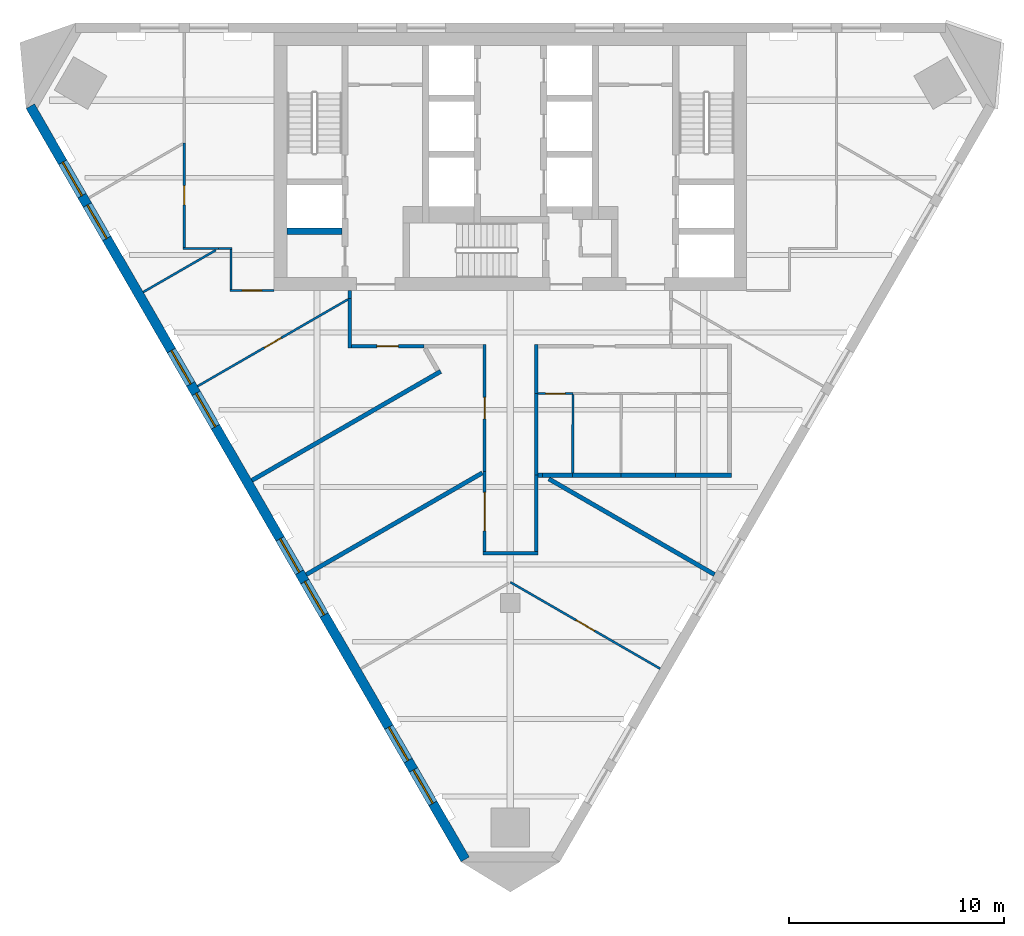
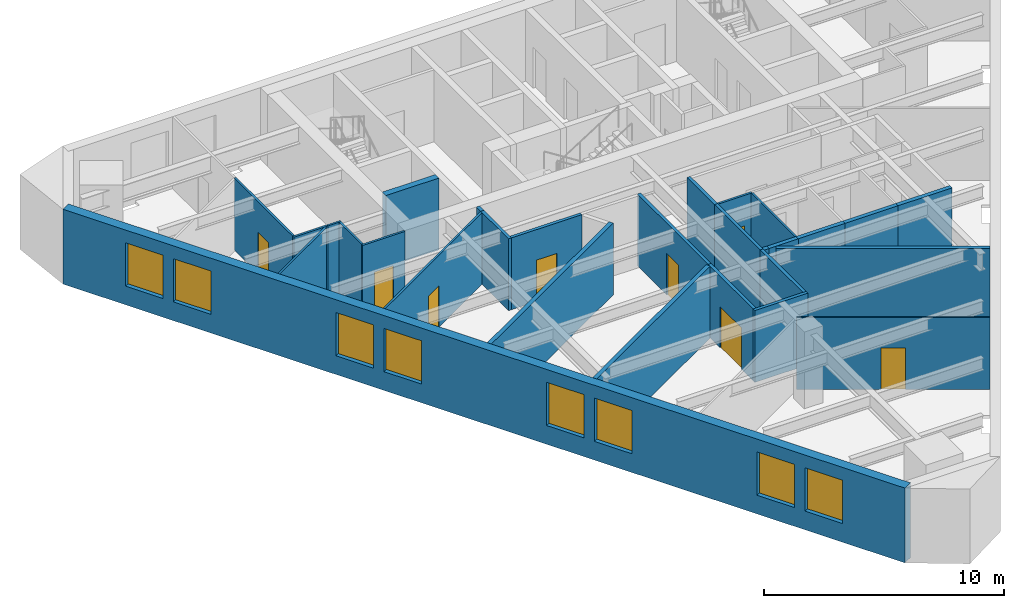
# One storey, part 2 of 7: 29 walls, 8 doors, 8 windows, 16 openings.
"""IFC4 building model written with IfcOpenShell, lengths in metres."""

from ifc_helpers import new_model, si_unit, direction, frame, frame_2d, origin, place, context, subcontext, project, spatial, polyline, rectangle, outline, extrude, material, layer, layer_set, type_object, element, fill, save


model = new_model("IFC4")

# Units and contexts
model_context = context("Model", 3, precision=1e-05, world=origin(), true_north=direction((0.0, 1.0)))
body_context = subcontext(model_context, "Body", "Model", "MODEL_VIEW")
ifc_project = project(units=[si_unit("LENGTHUNIT", "METRE"), si_unit("AREAUNIT", "SQUARE_METRE"), si_unit("VOLUMEUNIT", "CUBIC_METRE"), si_unit("PLANEANGLEUNIT", "RADIAN"), si_unit("MASSUNIT", "GRAM", prefix="KILO")], contexts=[model_context])

# Site, building, storey
site_placement = place(None, origin())
site = spatial("IfcSite", under=ifc_project, at=site_placement, CompositionType="ELEMENT")
building_placement = place(site_placement, origin())
building = spatial("IfcBuilding", under=site, at=building_placement, Name="Aloe Facet Convention Tower", CompositionType="ELEMENT")
storey_placement = place(building_placement, frame((0.0, 0.0, 171.5)))
storey = spatial("IfcBuildingStorey", under=building, at=storey_placement, Name="L43", CompositionType="ELEMENT", Elevation=171.5)

# Wall
ifc_material_1 = material(Name="Concrete C60/75", Category="concrete")
ifc_layer_1 = layer(ifc_material_1, 0.300048828125)
ifc_layer_set_1 = layer_set([ifc_layer_1], Name="CR-W-RC300-C6075")
wall_type_1 = type_object("IfcWallType", Name="CR-W-RC300-C6075", PredefinedType="SOLIDWALL", material=ifc_layer_set_1)
wall_1_placement = place(storey_placement, frame((69.60009765625, 125.300048828125, 0.0), z_axis=(0.0, 0.0, 1.0), x_axis=(1.0, 0.0, 0.0)))
element("IfcWall", 1, at=wall_1_placement, inside=storey, type_object=wall_type_1, Name="Core wall L43-005", PredefinedType="SOLIDWALL", context=body_context, shape_type="SweptSolid", body=[
    extrude(rectangle(XDim=2.5498046875, YDim=0.300048828125, at=frame_2d((1.27490234375, 0.0))), origin(), (0.0, 0.0, 1.0), 3.64990234375),
])

# Wall, openings, windows
ifc_material_2 = material(Name="Precast concrete C40/50", Category="concrete")
ifc_layer_2 = layer(ifc_material_2, 0.449951171875)
ifc_layer_set_2 = layer_set([ifc_layer_2], Name="EV-WALL-STONE")
wall_type_2 = type_object("IfcWallType", Name="EV-WALL-STONE", PredefinedType="SOLIDWALL", material=ifc_layer_set_2)
wall_2_placement = place(storey_placement, frame((57.65185546875, 131.128662109375, -0.14990234375), z_axis=(0.0, 0.0, 1.0), x_axis=(0.499997369791, -0.866026922331, 0.0)))
wall_2 = element("IfcWall", 2, at=wall_2_placement, inside=storey, type_object=wall_type_2, Name="EW-L43-W01", PredefinedType="SOLIDWALL", context=body_context, shape_type="SweptSolid", body=[
    extrude(outline(polyline([(40.486083984375, 0.0), (40.486083984375, 3.7998046875), (0.0, 3.7998046875), (0.0, 0.0), (40.486083984375, 0.0)])), frame((0.0, 0.22509765625, 0.0), z_axis=(0.0, -1.0, 0.0), x_axis=(1.0, 0.0, 0.0)), (0.0, 0.0, 1.0), 0.449951171875),
])
opening_1_placement = place(wall_2_placement, frame((3.0107421875, 0.0, 0.949951171875)))
opening_1 = element("IfcOpeningElement", 3, at=opening_1_placement, cuts=wall_2, Name="Opening W-L43-W01", PredefinedType="OPENING", context=body_context, shape_type="SweptSolid", body=[
    extrude(rectangle(XDim=1.800048828125, YDim=2.199951171875, at=frame_2d((0.89990234375, 1.10009765625))), frame((0.0, 0.23486328125, 0.0), z_axis=(0.0, -1.0, 0.0), x_axis=(1.0, 0.0, 0.0)), (0.0, 0.0, 1.0), 0.469970703125),
])
opening_2_placement = place(wall_2_placement, frame((5.310791015625, 0.0, 0.949951171875)))
opening_2 = element("IfcOpeningElement", 4, at=opening_2_placement, cuts=wall_2, Name="Opening W-L43-W02", PredefinedType="OPENING", context=body_context, shape_type="SweptSolid", body=[
    extrude(rectangle(XDim=1.800048828125, YDim=2.199951171875, at=frame_2d((0.89990234375, 1.10009765625))), frame((0.0, 0.23486328125, 0.0), z_axis=(0.0, -1.0, 0.0), x_axis=(1.0, 0.0, 0.0)), (0.0, 0.0, 1.0), 0.469970703125),
])
opening_3_placement = place(wall_2_placement, frame((13.13232421875, 0.0, 0.949951171875)))
opening_3 = element("IfcOpeningElement", 5, at=opening_3_placement, cuts=wall_2, Name="Opening W-L43-W03", PredefinedType="OPENING", context=body_context, shape_type="SweptSolid", body=[
    extrude(rectangle(XDim=1.800048828125, YDim=2.199951171875, at=frame_2d((0.89990234375, 1.10009765625))), frame((0.0, 0.23486328125, 0.0), z_axis=(0.0, -1.0, 0.0), x_axis=(1.0, 0.0, 0.0)), (0.0, 0.0, 1.0), 0.469970703125),
])
opening_4_placement = place(wall_2_placement, frame((15.432373046875, 0.0, 0.949951171875)))
opening_4 = element("IfcOpeningElement", 6, at=opening_4_placement, cuts=wall_2, Name="Opening W-L43-W04", PredefinedType="OPENING", context=body_context, shape_type="SweptSolid", body=[
    extrude(rectangle(XDim=1.800048828125, YDim=2.199951171875, at=frame_2d((0.89990234375, 1.10009765625))), frame((0.0, 0.23486328125, 0.0), z_axis=(0.0, -1.0, 0.0), x_axis=(1.0, 0.0, 0.0)), (0.0, 0.0, 1.0), 0.469970703125),
])
opening_5_placement = place(wall_2_placement, frame((23.25390625, 0.0, 0.949951171875)))
opening_5 = element("IfcOpeningElement", 7, at=opening_5_placement, cuts=wall_2, Name="Opening W-L43-W05", PredefinedType="OPENING", context=body_context, shape_type="SweptSolid", body=[
    extrude(rectangle(XDim=1.800048828125, YDim=2.199951171875, at=frame_2d((0.89990234375, 1.10009765625))), frame((0.0, 0.23486328125, 0.0), z_axis=(0.0, -1.0, 0.0), x_axis=(1.0, 0.0, 0.0)), (0.0, 0.0, 1.0), 0.469970703125),
])
opening_6_placement = place(wall_2_placement, frame((25.553955078125, 0.0, 0.949951171875)))
opening_6 = element("IfcOpeningElement", 8, at=opening_6_placement, cuts=wall_2, Name="Opening W-L43-W06", PredefinedType="OPENING", context=body_context, shape_type="SweptSolid", body=[
    extrude(rectangle(XDim=1.800048828125, YDim=2.199951171875, at=frame_2d((0.89990234375, 1.10009765625))), frame((0.0, 0.23486328125, 0.0), z_axis=(0.0, -1.0, 0.0), x_axis=(1.0, 0.0, 0.0)), (0.0, 0.0, 1.0), 0.469970703125),
])
opening_7_placement = place(wall_2_placement, frame((33.37548828125, 0.0, 0.949951171875)))
opening_7 = element("IfcOpeningElement", 9, at=opening_7_placement, cuts=wall_2, Name="Opening W-L43-W07", PredefinedType="OPENING", context=body_context, shape_type="SweptSolid", body=[
    extrude(rectangle(XDim=1.800048828125, YDim=2.199951171875, at=frame_2d((0.89990234375, 1.10009765625))), frame((0.0, 0.23486328125, 0.0), z_axis=(0.0, -1.0, 0.0), x_axis=(1.0, 0.0, 0.0)), (0.0, 0.0, 1.0), 0.469970703125),
])
opening_8_placement = place(wall_2_placement, frame((35.67529296875, 0.0, 0.949951171875)))
opening_8 = element("IfcOpeningElement", 10, at=opening_8_placement, cuts=wall_2, Name="Opening W-L43-W08", PredefinedType="OPENING", context=body_context, shape_type="SweptSolid", body=[
    extrude(rectangle(XDim=1.800048828125, YDim=2.199951171875, at=frame_2d((0.89990234375, 1.10009765625))), frame((0.0, 0.23486328125, 0.0), z_axis=(0.0, -1.0, 0.0), x_axis=(1.0, 0.0, 0.0)), (0.0, 0.0, 1.0), 0.469970703125),
])
ifc_material_3 = material(Name="Aluminium frame, clear double glazing", Category="aluminium")
window_type = type_object("IfcWindowType", Name="EV-WIN-O18", PartitioningType="SINGLE_PANEL", PredefinedType="WINDOW", material=ifc_material_3)
window_1_placement = place(opening_1_placement, origin())
window_1 = element("IfcWindow", 11, at=window_1_placement, inside=storey, type_object=window_type, Name="W-L43-W01", OverallHeight=2.199951171875, OverallWidth=1.800048828125, PartitioningType="SINGLE_PANEL", PredefinedType="WINDOW", context=body_context, shape_type="SweptSolid", body=[
    extrude(rectangle(XDim=1.800048828125, YDim=2.199951171875, at=frame_2d((0.89990234375, 1.10009765625))), frame((0.0, 0.030029296875, 0.0), z_axis=(0.0, -1.0, 0.0), x_axis=(1.0, 0.0, 0.0)), (0.0, 0.0, 1.0), 0.06005859375),
])
fill(opening_1, window_1)
window_2_placement = place(opening_2_placement, origin())
window_2 = element("IfcWindow", 12, at=window_2_placement, inside=storey, type_object=window_type, Name="W-L43-W02", OverallHeight=2.199951171875, OverallWidth=1.800048828125, PartitioningType="SINGLE_PANEL", PredefinedType="WINDOW", context=body_context, shape_type="SweptSolid", body=[
    extrude(rectangle(XDim=1.800048828125, YDim=2.199951171875, at=frame_2d((0.89990234375, 1.10009765625))), frame((0.0, 0.030029296875, 0.0), z_axis=(0.0, -1.0, 0.0), x_axis=(1.0, 0.0, 0.0)), (0.0, 0.0, 1.0), 0.06005859375),
])
fill(opening_2, window_2)
window_3_placement = place(opening_3_placement, origin())
window_3 = element("IfcWindow", 13, at=window_3_placement, inside=storey, type_object=window_type, Name="W-L43-W03", OverallHeight=2.199951171875, OverallWidth=1.800048828125, PartitioningType="SINGLE_PANEL", PredefinedType="WINDOW", context=body_context, shape_type="SweptSolid", body=[
    extrude(rectangle(XDim=1.800048828125, YDim=2.199951171875, at=frame_2d((0.89990234375, 1.10009765625))), frame((0.0, 0.030029296875, 0.0), z_axis=(0.0, -1.0, 0.0), x_axis=(1.0, 0.0, 0.0)), (0.0, 0.0, 1.0), 0.06005859375),
])
fill(opening_3, window_3)
window_4_placement = place(opening_4_placement, origin())
window_4 = element("IfcWindow", 14, at=window_4_placement, inside=storey, type_object=window_type, Name="W-L43-W04", OverallHeight=2.199951171875, OverallWidth=1.800048828125, PartitioningType="SINGLE_PANEL", PredefinedType="WINDOW", context=body_context, shape_type="SweptSolid", body=[
    extrude(rectangle(XDim=1.800048828125, YDim=2.199951171875, at=frame_2d((0.89990234375, 1.10009765625))), frame((0.0, 0.030029296875, 0.0), z_axis=(0.0, -1.0, 0.0), x_axis=(1.0, 0.0, 0.0)), (0.0, 0.0, 1.0), 0.06005859375),
])
fill(opening_4, window_4)
window_5_placement = place(opening_5_placement, origin())
window_5 = element("IfcWindow", 15, at=window_5_placement, inside=storey, type_object=window_type, Name="W-L43-W05", OverallHeight=2.199951171875, OverallWidth=1.800048828125, PartitioningType="SINGLE_PANEL", PredefinedType="WINDOW", context=body_context, shape_type="SweptSolid", body=[
    extrude(rectangle(XDim=1.800048828125, YDim=2.199951171875, at=frame_2d((0.89990234375, 1.10009765625))), frame((0.0, 0.030029296875, 0.0), z_axis=(0.0, -1.0, 0.0), x_axis=(1.0, 0.0, 0.0)), (0.0, 0.0, 1.0), 0.06005859375),
])
fill(opening_5, window_5)
window_6_placement = place(opening_6_placement, origin())
window_6 = element("IfcWindow", 16, at=window_6_placement, inside=storey, type_object=window_type, Name="W-L43-W06", OverallHeight=2.199951171875, OverallWidth=1.800048828125, PartitioningType="SINGLE_PANEL", PredefinedType="WINDOW", context=body_context, shape_type="SweptSolid", body=[
    extrude(rectangle(XDim=1.800048828125, YDim=2.199951171875, at=frame_2d((0.89990234375, 1.10009765625))), frame((0.0, 0.030029296875, 0.0), z_axis=(0.0, -1.0, 0.0), x_axis=(1.0, 0.0, 0.0)), (0.0, 0.0, 1.0), 0.06005859375),
])
fill(opening_6, window_6)
window_7_placement = place(opening_7_placement, origin())
window_7 = element("IfcWindow", 17, at=window_7_placement, inside=storey, type_object=window_type, Name="W-L43-W07", OverallHeight=2.199951171875, OverallWidth=1.800048828125, PartitioningType="SINGLE_PANEL", PredefinedType="WINDOW", context=body_context, shape_type="SweptSolid", body=[
    extrude(rectangle(XDim=1.800048828125, YDim=2.199951171875, at=frame_2d((0.89990234375, 1.10009765625))), frame((0.0, 0.030029296875, 0.0), z_axis=(0.0, -1.0, 0.0), x_axis=(1.0, 0.0, 0.0)), (0.0, 0.0, 1.0), 0.06005859375),
])
fill(opening_7, window_7)
window_8_placement = place(opening_8_placement, origin())
window_8 = element("IfcWindow", 18, at=window_8_placement, inside=storey, type_object=window_type, Name="W-L43-W08", OverallHeight=2.199951171875, OverallWidth=1.800048828125, PartitioningType="SINGLE_PANEL", PredefinedType="WINDOW", context=body_context, shape_type="SweptSolid", body=[
    extrude(rectangle(XDim=1.800048828125, YDim=2.199951171875, at=frame_2d((0.89990234375, 1.10009765625))), frame((0.0, 0.030029296875, 0.0), z_axis=(0.0, -1.0, 0.0), x_axis=(1.0, 0.0, 0.0)), (0.0, 0.0, 1.0), 0.06005859375),
])
fill(opening_8, window_8)

# Walls
ifc_material_4 = material(Name="Gypsum board partition on steel studs", Category="steel")
ifc_layer_3 = layer(ifc_material_4, 0.14990234375)
ifc_layer_set_3 = layer_set([ifc_layer_3], Name="IN-W-CORR")
wall_type_3 = type_object("IfcWallType", Name="IN-W-CORR", PredefinedType="PARTITIONING", material=ifc_layer_set_3)
wall_3_placement = place(storey_placement, frame((78.72509765625, 110.313232421875, 0.0), z_axis=(0.0, 0.0, 1.0), x_axis=(1.0, 0.0, 0.0)))
element("IfcWall", 19, at=wall_3_placement, inside=storey, type_object=wall_type_3, Name="Partition L43-W004", PredefinedType="PARTITIONING", context=body_context, shape_type="SweptSolid", body=[
    extrude(rectangle(XDim=2.5498046875, YDim=0.14990234375, at=frame_2d((1.27490234375, 0.0))), origin(), (0.0, 0.0, 1.0), 3.64990234375),
])
wall_4_placement = place(storey_placement, frame((81.199951171875, 110.38818359375, 0.0), z_axis=(0.0, 0.0, 1.0), x_axis=(0.0, 1.0, 0.0)))
element("IfcWall", 20, at=wall_4_placement, inside=storey, type_object=wall_type_3, Name="Partition L43-W005", PredefinedType="PARTITIONING", context=body_context, shape_type="SweptSolid", body=[
    extrude(rectangle(XDim=3.561767578125, YDim=0.14990234375, at=frame_2d((1.78076171875, 0.0))), origin(), (0.0, 0.0, 1.0), 3.64990234375),
])

# Wall, opening, door
wall_5_placement = place(storey_placement, frame((78.800048828125, 114.120361328125, 0.0), z_axis=(0.0, 0.0, 1.0), x_axis=(0.0, 1.0, 0.0)))
wall_5 = element("IfcWall", 21, at=wall_5_placement, inside=storey, type_object=wall_type_3, Name="Partition L43-W014", PredefinedType="PARTITIONING", context=body_context, shape_type="SweptSolid", body=[
    extrude(rectangle(XDim=5.904541015625, YDim=0.14990234375, at=frame_2d((2.9521484375, 0.0))), origin(), (0.0, 0.0, 1.0), 3.64990234375),
])
opening_9_placement = place(wall_5_placement, frame((2.452392578125, 0.0, 0.0)))
opening_9 = element("IfcOpeningElement", 22, at=opening_9_placement, cuts=wall_5, Name="Opening L43-011", PredefinedType="OPENING", context=body_context, shape_type="SweptSolid", body=[
    extrude(rectangle(XDim=1.0, YDim=2.10009765625, at=frame_2d((0.5, 1.050048828125))), frame((0.0, 0.0849609375, 0.0), z_axis=(0.0, -1.0, 0.0), x_axis=(1.0, 0.0, 0.0)), (0.0, 0.0, 1.0), 0.169921875),
])
ifc_material_5 = material(Name="Timber door FD30S with vision panel", Category="wood")
door_type_1 = type_object("IfcDoorType", Name="IN-OFF-D-ENTRY", OperationType="SINGLE_SWING_LEFT", PredefinedType="DOOR", material=ifc_material_5)
door_1_placement = place(opening_9_placement, origin())
door_1 = element("IfcDoor", 23, at=door_1_placement, inside=storey, type_object=door_type_1, Name="Door L43-011", OperationType="SINGLE_SWING_LEFT", OverallHeight=2.10009765625, OverallWidth=1.0, PredefinedType="DOOR", context=body_context, shape_type="SweptSolid", body=[
    extrude(rectangle(XDim=1.0, YDim=2.10009765625, at=frame_2d((0.5, 1.050048828125))), frame((0.0, 0.02490234375, 0.0), z_axis=(0.0, -1.0, 0.0), x_axis=(1.0, 0.0, 0.0)), (0.0, 0.0, 1.0), 0.050048828125),
])
fill(opening_9, door_1)

wall_6_placement = place(storey_placement, frame((78.800048828125, 110.38818359375, 0.0), z_axis=(0.0, 0.0, 1.0), x_axis=(0.0, 1.0, 0.0)))
wall_6 = element("IfcWall", 24, at=wall_6_placement, inside=storey, type_object=wall_type_3, Name="Partition L43-W015", PredefinedType="PARTITIONING", context=body_context, shape_type="SweptSolid", body=[
    extrude(rectangle(XDim=3.732177734375, YDim=0.14990234375, at=frame_2d((1.8662109375, 0.0))), origin(), (0.0, 0.0, 1.0), 3.64990234375),
])
opening_10_placement = place(wall_6_placement, frame((0.966064453125, 0.0, 0.0)))
opening_10 = element("IfcOpeningElement", 25, at=opening_10_placement, cuts=wall_6, Name="Opening L43-017", PredefinedType="OPENING", context=body_context, shape_type="SweptSolid", body=[
    extrude(rectangle(XDim=1.800048828125, YDim=2.10009765625, at=frame_2d((0.89990234375, 1.050048828125))), frame((0.0, 0.0849609375, 0.0), z_axis=(0.0, -1.0, 0.0), x_axis=(1.0, 0.0, 0.0)), (0.0, 0.0, 1.0), 0.169921875),
])
ifc_material_6 = material(Name="Glazed timber door pair FD30S", Category="wood")
door_type_2 = type_object("IfcDoorType", Name="IN-OFF-D-SUITE", OperationType="DOUBLE_DOOR_SINGLE_SWING", PredefinedType="DOOR", material=ifc_material_6)
door_2_placement = place(opening_10_placement, origin())
door_2 = element("IfcDoor", 26, at=door_2_placement, inside=storey, type_object=door_type_2, Name="Door L43-017", OperationType="SINGLE_SWING_LEFT", OverallHeight=2.10009765625, OverallWidth=1.800048828125, PredefinedType="DOOR", context=body_context, shape_type="SweptSolid", body=[
    extrude(rectangle(XDim=1.800048828125, YDim=2.10009765625, at=frame_2d((0.89990234375, 1.050048828125))), frame((0.0, 0.02490234375, 0.0), z_axis=(0.0, -1.0, 0.0), x_axis=(1.0, 0.0, 0.0)), (0.0, 0.0, 1.0), 0.050048828125),
])
fill(opening_10, door_2)

# Walls
wall_7_placement = place(storey_placement, frame((81.199951171875, 113.949951171875, 0.0), z_axis=(0.0, 0.0, 1.0), x_axis=(0.0, 1.0, 0.0)))
element("IfcWall", 27, at=wall_7_placement, inside=storey, type_object=wall_type_3, Name="Partition L43-W024", PredefinedType="PARTITIONING", context=body_context, shape_type="SweptSolid", body=[
    extrude(rectangle(XDim=3.800048828125, YDim=0.14990234375, at=frame_2d((1.89990234375, 0.0))), origin(), (0.0, 0.0, 1.0), 3.64990234375),
])
wall_8_placement = place(storey_placement, frame((72.52490234375, 119.875, 0.0), z_axis=(0.0, 0.0, 1.0), x_axis=(0.0, 1.0, 0.0)))
element("IfcWall", 28, at=wall_8_placement, inside=storey, type_object=wall_type_3, Name="Partition L43-W028", PredefinedType="PARTITIONING", context=body_context, shape_type="SweptSolid", body=[
    extrude(rectangle(XDim=2.309814453125, YDim=0.14990234375, at=frame_2d((1.15478515625, 0.0))), origin(), (0.0, 0.0, 1.0), 3.64990234375),
])

# Wall, opening, door
wall_9_placement = place(storey_placement, frame((72.60009765625, 119.949951171875, 0.0), z_axis=(0.0, 0.0, 1.0), x_axis=(1.0, 0.0, 0.0)))
wall_9 = element("IfcWall", 29, at=wall_9_placement, inside=storey, type_object=wall_type_3, Name="Partition L43-W029", PredefinedType="PARTITIONING", context=body_context, shape_type="SweptSolid", body=[
    extrude(rectangle(XDim=3.370361328125, YDim=0.14990234375, at=frame_2d((1.68505859375, 0.0))), origin(), (0.0, 0.0, 1.0), 3.64990234375),
])
opening_11_placement = place(wall_9_placement, frame((1.185302734375, 0.0, 0.0)))
opening_11 = element("IfcOpeningElement", 30, at=opening_11_placement, cuts=wall_9, Name="Opening L43-010", PredefinedType="OPENING", context=body_context, shape_type="SweptSolid", body=[
    extrude(rectangle(XDim=1.0, YDim=2.10009765625, at=frame_2d((0.5, 1.050048828125))), frame((0.0, 0.0849609375, 0.0), z_axis=(0.0, -1.0, 0.0), x_axis=(1.0, 0.0, 0.0)), (0.0, 0.0, 1.0), 0.169921875),
])
door_3_placement = place(opening_11_placement, origin())
door_3 = element("IfcDoor", 31, at=door_3_placement, inside=storey, type_object=door_type_1, Name="Door L43-010", OperationType="SINGLE_SWING_LEFT", OverallHeight=2.10009765625, OverallWidth=1.0, PredefinedType="DOOR", context=body_context, shape_type="SweptSolid", body=[
    extrude(rectangle(XDim=1.0, YDim=2.10009765625, at=frame_2d((0.5, 1.050048828125))), frame((0.0, 0.02490234375, 0.0), z_axis=(0.0, -1.0, 0.0), x_axis=(1.0, 0.0, 0.0)), (0.0, 0.0, 1.0), 0.050048828125),
])
fill(opening_11, door_3)

# Walls
wall_10_placement = place(storey_placement, frame((81.199951171875, 117.75, 0.0), z_axis=(0.0, 0.0, 1.0), x_axis=(0.0, 1.0, 0.0)))
element("IfcWall", 32, at=wall_10_placement, inside=storey, type_object=wall_type_3, Name="Partition L43-W031", PredefinedType="PARTITIONING", context=body_context, shape_type="SweptSolid", body=[
    extrude(rectangle(XDim=2.27490234375, YDim=0.14990234375, at=frame_2d((1.137451171875, 0.0))), origin(), (0.0, 0.0, 1.0), 3.64990234375),
])
wall_11_placement = place(storey_placement, frame((72.52490234375, 122.184814453125, 0.0), z_axis=(0.0, 0.0, 1.0), x_axis=(0.0, 1.0, 0.0)))
element("IfcWall", 33, at=wall_11_placement, inside=storey, type_object=wall_type_3, Name="Partition L43-W034", PredefinedType="PARTITIONING", context=body_context, shape_type="SweptSolid", body=[
    extrude(rectangle(XDim=0.365234375, YDim=0.14990234375, at=frame_2d((0.1826171875, 0.0))), origin(), (0.0, 0.0, 1.0), 3.64990234375),
])

# Wall, opening, door
ifc_material_7 = material(Name="Gypsum board partition on steel studs", Category="steel")
ifc_layer_4 = layer(ifc_material_7, 0.10009765625)
ifc_layer_set_4 = layer_set([ifc_layer_4], Name="IN-W-PART")
wall_type_4 = type_object("IfcWallType", Name="IN-W-PART", PredefinedType="PARTITIONING", material=ifc_layer_set_4)
wall_12_placement = place(storey_placement, frame((80.0, 108.969482421875, 0.0), z_axis=(0.0, 0.0, 1.0), x_axis=(0.86602648383, -0.499998129301, 0.0)))
wall_12 = element("IfcWall", 34, at=wall_12_placement, inside=storey, type_object=wall_type_4, Name="Partition L43-W001", PredefinedType="PARTITIONING", context=body_context, shape_type="SweptSolid", body=[
    extrude(rectangle(XDim=8.04931640625, YDim=0.10009765625, at=frame_2d((4.024658203125, 0.0))), origin(), (0.0, 0.0, 1.0), 3.64990234375),
])
opening_12_placement = place(wall_12_placement, frame((3.524658203125, 0.0, 0.0)))
opening_12 = element("IfcOpeningElement", 35, at=opening_12_placement, cuts=wall_12, Name="Opening L43-016", PredefinedType="OPENING", context=body_context, shape_type="SweptSolid", body=[
    extrude(rectangle(XDim=1.0, YDim=2.10009765625, at=frame_2d((0.5, 1.050048828125))), frame((0.0, 0.06005859375, 0.0), z_axis=(0.0, -1.0, 0.0), x_axis=(1.0, 0.0, 0.0)), (0.0, 0.0, 1.0), 0.1201171875),
])
ifc_material_8 = material(Name="Timber door", Category="wood")
door_type_3 = type_object("IfcDoorType", Name="IN-OFF-D-WIDE", OperationType="SINGLE_SWING_LEFT", PredefinedType="DOOR", material=ifc_material_8)
door_4_placement = place(opening_12_placement, origin())
door_4 = element("IfcDoor", 36, at=door_4_placement, inside=storey, type_object=door_type_3, Name="Door L43-016", OperationType="SINGLE_SWING_LEFT", OverallHeight=2.10009765625, OverallWidth=1.0, PredefinedType="DOOR", context=body_context, shape_type="SweptSolid", body=[
    extrude(rectangle(XDim=1.0, YDim=2.10009765625, at=frame_2d((0.5, 1.050048828125))), frame((0.0, 0.02490234375, 0.0), z_axis=(0.0, -1.0, 0.0), x_axis=(1.0, 0.0, 0.0)), (0.0, 0.0, 1.0), 0.050048828125),
])
fill(opening_12, door_4)

# Wall
wall_13_placement = place(storey_placement, frame((82.900146484375, 114.050048828125, 0.0), z_axis=(0.0, 0.0, 1.0), x_axis=(0.002675575707, 0.999996420641, 0.0)))
element("IfcWall", 37, at=wall_13_placement, inside=storey, type_object=wall_type_4, Name="Partition L43-W017", PredefinedType="PARTITIONING", context=body_context, shape_type="SweptSolid", body=[
    extrude(rectangle(XDim=3.64990234375, YDim=0.10009765625, at=frame_2d((1.824951171875, 0.0))), origin(), (0.0, 0.0, 1.0), 3.64990234375),
])

# Wall, opening, door
wall_14_placement = place(storey_placement, frame((81.27490234375, 117.75, 0.0), z_axis=(0.0, 0.0, 1.0), x_axis=(1.0, 0.0, 0.0)))
wall_14 = element("IfcWall", 38, at=wall_14_placement, inside=storey, type_object=wall_type_4, Name="Partition L43-W018", PredefinedType="PARTITIONING", context=body_context, shape_type="SweptSolid", body=[
    extrude(rectangle(XDim=1.635009765625, YDim=0.10009765625, at=frame_2d((0.8173828125, 0.0))), origin(), (0.0, 0.0, 1.0), 3.64990234375),
])
opening_13_placement = place(wall_14_placement, frame((0.367431640625, 0.0, 0.0)))
opening_13 = element("IfcOpeningElement", 39, at=opening_13_placement, cuts=wall_14, Name="Opening L43-002", PredefinedType="OPENING", context=body_context, shape_type="SweptSolid", body=[
    extrude(rectangle(XDim=0.89990234375, YDim=2.10009765625, at=frame_2d((0.449951171875, 1.050048828125))), frame((0.0, 0.06005859375, 0.0), z_axis=(0.0, -1.0, 0.0), x_axis=(1.0, 0.0, 0.0)), (0.0, 0.0, 1.0), 0.1201171875),
])
ifc_material_9 = material(Name="Timber door", Category="wood")
door_type_4 = type_object("IfcDoorType", Name="IN-OFF-D-ROOM", OperationType="SINGLE_SWING_LEFT", PredefinedType="DOOR", material=ifc_material_9)
door_5_placement = place(opening_13_placement, origin())
door_5 = element("IfcDoor", 40, at=door_5_placement, inside=storey, type_object=door_type_4, Name="Door L43-002", OperationType="SINGLE_SWING_LEFT", OverallHeight=2.10009765625, OverallWidth=0.89990234375, PredefinedType="DOOR", context=body_context, shape_type="SweptSolid", body=[
    extrude(rectangle(XDim=0.89990234375, YDim=2.10009765625, at=frame_2d((0.449951171875, 1.050048828125))), frame((0.0, 0.02490234375, 0.0), z_axis=(0.0, -1.0, 0.0), x_axis=(1.0, 0.0, 0.0)), (0.0, 0.0, 1.0), 0.050048828125),
])
fill(opening_13, door_5)

wall_15_placement = place(storey_placement, frame((65.437744140625, 118.093017578125, 0.0), z_axis=(0.0, 0.0, 1.0), x_axis=(0.866029768103, 0.499992440702, 0.0)))
wall_15 = element("IfcWall", 41, at=wall_15_placement, inside=storey, type_object=wall_type_4, Name="Partition L43-W025", PredefinedType="PARTITIONING", context=body_context, shape_type="SweptSolid", body=[
    extrude(rectangle(XDim=8.088623046875, YDim=0.10009765625, at=frame_2d((4.04443359375, 0.0))), origin(), (0.0, 0.0, 1.0), 3.64990234375),
])
opening_14_placement = place(wall_15_placement, frame((3.59423828125, 0.0, 0.0)))
opening_14 = element("IfcOpeningElement", 42, at=opening_14_placement, cuts=wall_15, Name="Opening L43-009", PredefinedType="OPENING", context=body_context, shape_type="SweptSolid", body=[
    extrude(rectangle(XDim=0.89990234375, YDim=2.10009765625, at=frame_2d((0.449951171875, 1.050048828125))), frame((0.0, 0.06005859375, 0.0), z_axis=(0.0, -1.0, 0.0), x_axis=(1.0, 0.0, 0.0)), (0.0, 0.0, 1.0), 0.1201171875),
])
door_6_placement = place(opening_14_placement, origin())
door_6 = element("IfcDoor", 43, at=door_6_placement, inside=storey, type_object=door_type_4, Name="Door L43-009", OperationType="SINGLE_SWING_LEFT", OverallHeight=2.10009765625, OverallWidth=0.89990234375, PredefinedType="DOOR", context=body_context, shape_type="SweptSolid", body=[
    extrude(rectangle(XDim=0.89990234375, YDim=2.10009765625, at=frame_2d((0.449951171875, 1.050048828125))), frame((0.0, 0.02490234375, 0.0), z_axis=(0.0, -1.0, 0.0), x_axis=(1.0, 0.0, 0.0)), (0.0, 0.0, 1.0), 0.050048828125),
])
fill(opening_14, door_6)

# Wall
wall_16_placement = place(storey_placement, frame((62.907470703125, 122.475830078125, 0.0), z_axis=(0.0, 0.0, 1.0), x_axis=(0.866014543207, 0.500018810599, 0.0)))
element("IfcWall", 44, at=wall_16_placement, inside=storey, type_object=wall_type_4, Name="Partition L43-W036", PredefinedType="PARTITIONING", context=body_context, shape_type="SweptSolid", body=[
    extrude(rectangle(XDim=3.898193359375, YDim=0.10009765625, at=frame_2d((1.94921875, 0.0))), origin(), (0.0, 0.0, 1.0), 3.64990234375),
])

# Wall, opening, door
wall_17_placement = place(storey_placement, frame((66.949951171875, 122.550048828125, 0.0), z_axis=(0.0, 0.0, 1.0), x_axis=(1.0, 0.0, 0.0)))
wall_17 = element("IfcWall", 45, at=wall_17_placement, inside=storey, type_object=wall_type_4, Name="Partition L43-W037", PredefinedType="PARTITIONING", context=body_context, shape_type="SweptSolid", body=[
    extrude(rectangle(XDim=2.050048828125, YDim=0.10009765625, at=frame_2d((1.02490234375, 0.0))), origin(), (0.0, 0.0, 1.0), 3.64990234375),
])
opening_15_placement = place(wall_17_placement, frame((0.574951171875, 0.0, 0.0)))
opening_15 = element("IfcOpeningElement", 46, at=opening_15_placement, cuts=wall_17, Name="Opening L43-007", PredefinedType="OPENING", context=body_context, shape_type="SweptSolid", body=[
    extrude(rectangle(XDim=0.89990234375, YDim=2.10009765625, at=frame_2d((0.449951171875, 1.050048828125))), frame((0.0, 0.06005859375, 0.0), z_axis=(0.0, -1.0, 0.0), x_axis=(1.0, 0.0, 0.0)), (0.0, 0.0, 1.0), 0.1201171875),
])
door_7_placement = place(opening_15_placement, origin())
door_7 = element("IfcDoor", 47, at=door_7_placement, inside=storey, type_object=door_type_4, Name="Door L43-007", OperationType="SINGLE_SWING_LEFT", OverallHeight=2.10009765625, OverallWidth=0.89990234375, PredefinedType="DOOR", context=body_context, shape_type="SweptSolid", body=[
    extrude(rectangle(XDim=0.89990234375, YDim=2.10009765625, at=frame_2d((0.449951171875, 1.050048828125))), frame((0.0, 0.02490234375, 0.0), z_axis=(0.0, -1.0, 0.0), x_axis=(1.0, 0.0, 0.0)), (0.0, 0.0, 1.0), 0.050048828125),
])
fill(opening_15, door_7)

# Walls
wall_18_placement = place(storey_placement, frame((64.767578125, 124.5, 0.0), z_axis=(0.0, 0.0, 1.0), x_axis=(1.0, 0.0, 0.0)))
element("IfcWall", 48, at=wall_18_placement, inside=storey, type_object=wall_type_4, Name="Partition L43-W041", PredefinedType="PARTITIONING", context=body_context, shape_type="SweptSolid", body=[
    extrude(rectangle(XDim=1.64599609375, YDim=0.10009765625, at=frame_2d((0.822998046875, 0.0))), origin(), (0.0, 0.0, 1.0), 3.64990234375),
])
wall_19_placement = place(storey_placement, frame((66.41357421875, 124.5, 0.0), z_axis=(0.0, 0.0, 1.0), x_axis=(1.0, 0.0, 0.0)))
element("IfcWall", 49, at=wall_19_placement, inside=storey, type_object=wall_type_4, Name="Partition L43-W042", PredefinedType="PARTITIONING", context=body_context, shape_type="SweptSolid", body=[
    extrude(rectangle(XDim=0.636474609375, YDim=0.10009765625, at=frame_2d((0.318359375, 0.0))), origin(), (0.0, 0.0, 1.0), 3.64990234375),
])
wall_20_placement = place(storey_placement, frame((67.0, 122.60009765625, 0.0), z_axis=(0.0, 0.0, 1.0), x_axis=(0.0, 1.0, 0.0)))
element("IfcWall", 50, at=wall_20_placement, inside=storey, type_object=wall_type_4, Name="Partition L43-W043", PredefinedType="PARTITIONING", context=body_context, shape_type="SweptSolid", body=[
    extrude(rectangle(XDim=1.849853515625, YDim=0.10009765625, at=frame_2d((0.9248046875, 0.0))), origin(), (0.0, 0.0, 1.0), 3.64990234375),
])

# Wall, opening, door
wall_21_placement = place(storey_placement, frame((64.817626953125, 124.550048828125, 0.0), z_axis=(0.0, 0.0, 1.0), x_axis=(0.0, 1.0, 0.0)))
wall_21 = element("IfcWall", 51, at=wall_21_placement, inside=storey, type_object=wall_type_4, Name="Partition L43-W047", PredefinedType="PARTITIONING", context=body_context, shape_type="SweptSolid", body=[
    extrude(rectangle(XDim=4.872314453125, YDim=0.10009765625, at=frame_2d((2.43603515625, 0.0))), origin(), (0.0, 0.0, 1.0), 3.64990234375),
])
opening_16_placement = place(wall_21_placement, frame((1.986083984375, 0.0, 0.0)))
opening_16 = element("IfcOpeningElement", 52, at=opening_16_placement, cuts=wall_21, Name="Opening L43-008", PredefinedType="OPENING", context=body_context, shape_type="SweptSolid", body=[
    extrude(rectangle(XDim=0.89990234375, YDim=2.10009765625, at=frame_2d((0.449951171875, 1.050048828125))), frame((0.0, 0.06005859375, 0.0), z_axis=(0.0, -1.0, 0.0), x_axis=(1.0, 0.0, 0.0)), (0.0, 0.0, 1.0), 0.1201171875),
])
door_8_placement = place(opening_16_placement, origin())
door_8 = element("IfcDoor", 53, at=door_8_placement, inside=storey, type_object=door_type_4, Name="Door L43-008", OperationType="SINGLE_SWING_LEFT", OverallHeight=2.10009765625, OverallWidth=0.89990234375, PredefinedType="DOOR", context=body_context, shape_type="SweptSolid", body=[
    extrude(rectangle(XDim=0.89990234375, YDim=2.10009765625, at=frame_2d((0.449951171875, 1.050048828125))), frame((0.0, 0.02490234375, 0.0), z_axis=(0.0, -1.0, 0.0), x_axis=(1.0, 0.0, 0.0)), (0.0, 0.0, 1.0), 0.050048828125),
])
fill(opening_16, door_8)

# Walls
ifc_material_10 = material(Name="Gypsum board partition on steel studs", Category="steel")
ifc_layer_5 = layer(ifc_material_10, 0.199951171875)
ifc_layer_set_5 = layer_set([ifc_layer_5], Name="IN-W-PARTY")
wall_type_5 = type_object("IfcWallType", Name="IN-W-PARTY", PredefinedType="PARTITIONING", material=ifc_layer_set_5)
wall_22_placement = place(storey_placement, frame((70.49853515625, 109.327392578125, 0.0), z_axis=(0.0, 0.0, 1.0), x_axis=(0.866017555821, 0.500013592824, 0.0)))
element("IfcWall", 54, at=wall_22_placement, inside=storey, type_object=wall_type_5, Name="Partition L43-W003", PredefinedType="PARTITIONING", context=body_context, shape_type="SweptSolid", body=[
    extrude(rectangle(XDim=9.460693359375, YDim=0.199951171875, at=frame_2d((4.73046875, 0.0))), origin(), (0.0, 0.0, 1.0), 3.64990234375),
])
wall_23_placement = place(storey_placement, frame((67.96826171875, 113.710205078125, 0.0), z_axis=(0.0, 0.0, 1.0), x_axis=(0.866024129094, 0.500002207822, 0.0)))
element("IfcWall", 55, at=wall_23_placement, inside=storey, type_object=wall_type_5, Name="Partition L43-W006", PredefinedType="PARTITIONING", context=body_context, shape_type="SweptSolid", body=[
    extrude(rectangle(XDim=10.14794921875, YDim=0.199951171875, at=frame_2d((5.073974609375, 0.0))), origin(), (0.0, 0.0, 1.0), 3.64990234375),
])
wall_24_placement = place(storey_placement, frame((81.27490234375, 113.949951171875, 0.0), z_axis=(0.0, 0.0, 1.0), x_axis=(1.0, 0.0, 0.0)))
element("IfcWall", 56, at=wall_24_placement, inside=storey, type_object=wall_type_5, Name="Partition L43-W007", PredefinedType="PARTITIONING", context=body_context, shape_type="SweptSolid", body=[
    extrude(rectangle(XDim=0.22021484375, YDim=0.199951171875, at=frame_2d((0.110107421875, 0.0))), origin(), (0.0, 0.0, 1.0), 3.64990234375),
])
wall_25_placement = place(storey_placement, frame((81.78955078125, 113.780029296875, 0.0), z_axis=(0.0, 0.0, 1.0), x_axis=(0.866017572094, -0.50001356464, 0.0)))
element("IfcWall", 57, at=wall_25_placement, inside=storey, type_object=wall_type_5, Name="Partition L43-W008", PredefinedType="PARTITIONING", context=body_context, shape_type="SweptSolid", body=[
    extrude(rectangle(XDim=8.905029296875, YDim=0.199951171875, at=frame_2d((4.45263671875, 0.0))), origin(), (0.0, 0.0, 1.0), 3.64990234375),
])
wall_26_placement = place(storey_placement, frame((81.4951171875, 113.949951171875, 0.0), z_axis=(0.0, 0.0, 1.0), x_axis=(1.0, 0.0, 0.0)))
element("IfcWall", 58, at=wall_26_placement, inside=storey, type_object=wall_type_5, Name="Partition L43-W009", PredefinedType="PARTITIONING", context=body_context, shape_type="SweptSolid", body=[
    extrude(rectangle(XDim=1.40478515625, YDim=0.199951171875, at=frame_2d((0.702392578125, 0.0))), origin(), (0.0, 0.0, 1.0), 3.64990234375),
])
wall_27_placement = place(storey_placement, frame((82.89990234375, 113.949951171875, 0.0), z_axis=(0.0, 0.0, 1.0), x_axis=(1.0, 0.0, 0.0)))
element("IfcWall", 59, at=wall_27_placement, inside=storey, type_object=wall_type_5, Name="Partition L43-W010", PredefinedType="PARTITIONING", context=body_context, shape_type="SweptSolid", body=[
    extrude(rectangle(XDim=2.25, YDim=0.199951171875, at=frame_2d((1.125, 0.0))), origin(), (0.0, 0.0, 1.0), 3.64990234375),
])
wall_28_placement = place(storey_placement, frame((85.14990234375, 113.949951171875, 0.0), z_axis=(0.0, 0.0, 1.0), x_axis=(1.0, 0.0, 0.0)))
element("IfcWall", 60, at=wall_28_placement, inside=storey, type_object=wall_type_5, Name="Partition L43-W011", PredefinedType="PARTITIONING", context=body_context, shape_type="SweptSolid", body=[
    extrude(rectangle(XDim=2.5400390625, YDim=0.199951171875, at=frame_2d((1.27001953125, 0.0))), origin(), (0.0, 0.0, 1.0), 3.64990234375),
])
wall_29_placement = place(storey_placement, frame((87.68994140625, 113.949951171875, 0.0), z_axis=(0.0, 0.0, 1.0), x_axis=(1.0, 0.0, 0.0)))
element("IfcWall", 61, at=wall_29_placement, inside=storey, type_object=wall_type_5, Name="Partition L43-W012", PredefinedType="PARTITIONING", context=body_context, shape_type="SweptSolid", body=[
    extrude(rectangle(XDim=2.610107421875, YDim=0.199951171875, at=frame_2d((1.30517578125, 0.0))), origin(), (0.0, 0.0, 1.0), 3.64990234375),
])

save(model, "model.ifc")
